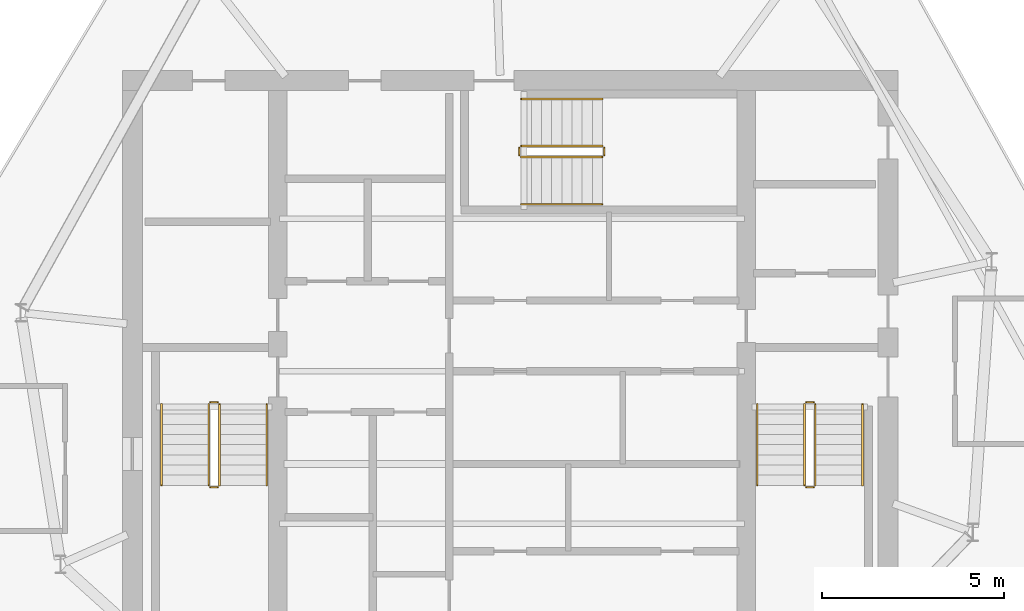
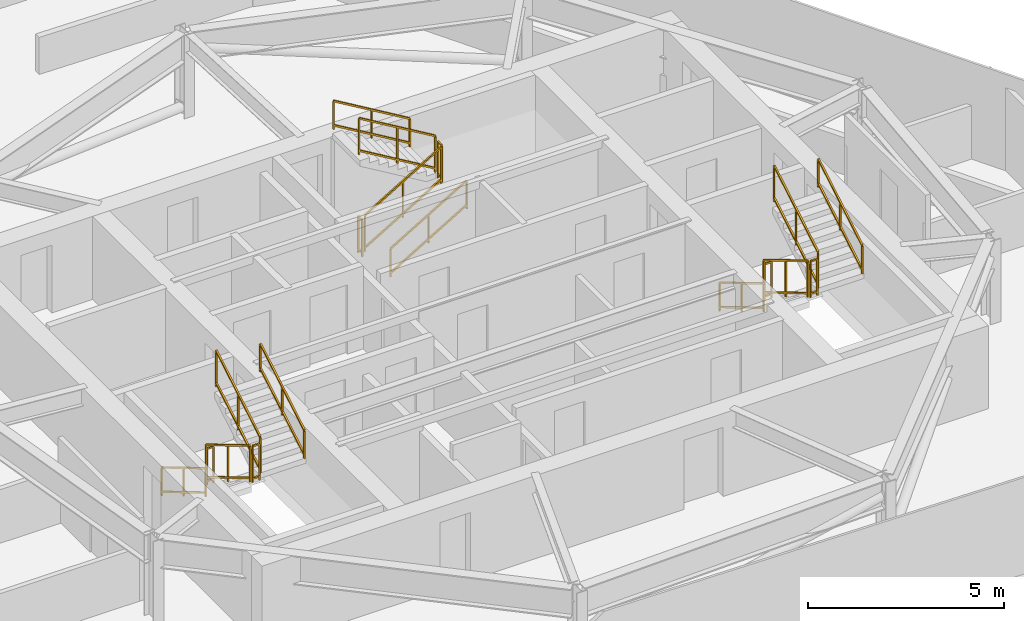
# One storey, part 6 of 6: 18 railings.
"""IFC4 building model written with IfcOpenShell, lengths in metres."""

from ifc_helpers import new_model, si_unit, direction, frame, origin, origin_2d, place, context, subcontext, project, spatial, rectangle, extrude, material, type_object, element, save


model = new_model("IFC4")

# Units and contexts
model_context = context("Model", 3, precision=1e-05, world=origin(), true_north=direction((0.0, 1.0)))
body_context = subcontext(model_context, "Body", "Model", "MODEL_VIEW")
ifc_project = project(units=[si_unit("LENGTHUNIT", "METRE"), si_unit("AREAUNIT", "SQUARE_METRE"), si_unit("VOLUMEUNIT", "CUBIC_METRE"), si_unit("PLANEANGLEUNIT", "RADIAN"), si_unit("MASSUNIT", "GRAM", prefix="KILO")], contexts=[model_context])

# Site, building, storey
site_placement = place(None, origin())
site = spatial("IfcSite", under=ifc_project, at=site_placement, CompositionType="ELEMENT")
building_placement = place(site_placement, origin())
building = spatial("IfcBuilding", under=site, at=building_placement, Name="Qarnah Convention Tower", CompositionType="ELEMENT")
storey_placement = place(building_placement, frame((0.0, 0.0, 289.89990234375)))
storey = spatial("IfcBuildingStorey", under=building, at=storey_placement, Name="L78", CompositionType="ELEMENT", Elevation=289.89990234375)

# Railings
ifc_material = material(Name="Structural steel S355JR", Category="steel")
railing_type_1 = type_object("IfcRailingType", Name="RL-STAIR-GUARD-1150", PredefinedType="GUARDRAIL", material=ifc_material)
railing_1_placement = place(storey_placement, frame((28.89990234375, 25.300048828125, 0.166748046875)))
element("IfcRailing", 1, at=railing_1_placement, inside=storey, type_object=railing_type_1, Name="L78 ST-1 stair guard 1", PredefinedType="GUARDRAIL", context=body_context, shape_type="SweptSolid", body=[
    extrude(rectangle(XDim=0.048095703125, YDim=0.048095703125, at=origin_2d()), frame((0.0, 0.0, 1.1259765625), z_axis=(0.0, -0.859305625298, 0.511462454469), x_axis=(1.0, 0.0, 0.0)), (0.0, 0.0, 1.0), 2.606689453125),
    extrude(rectangle(XDim=0.048095703125, YDim=0.048095703125, at=origin_2d()), frame((0.0, 0.0, 0.1201171875), z_axis=(0.0, -0.859305625298, 0.511462454469), x_axis=(1.0, 0.0, 0.0)), (0.0, 0.0, 1.0), 2.606689453125),
    extrude(rectangle(XDim=0.0419921875, YDim=0.0419921875, at=origin_2d()), origin(), (0.0, 0.0, 1.0), 1.101806640625),
    extrude(rectangle(XDim=0.0419921875, YDim=0.0419921875, at=origin_2d()), frame((0.0, -1.1201171875, 0.66650390625)), (0.0, 0.0, 1.0), 1.101806640625),
    extrude(rectangle(XDim=0.0419921875, YDim=0.0419921875, at=origin_2d()), frame((0.0, -2.239990234375, 1.333251953125)), (0.0, 0.0, 1.0), 1.101806640625),
])
railing_2_placement = place(storey_placement, frame((28.949951171875, 23.010009765625, 1.5)))
element("IfcRailing", 2, at=railing_2_placement, inside=storey, type_object=railing_type_1, Name="L78 ST-1 stair guard 2", PredefinedType="GUARDRAIL", context=body_context, shape_type="SweptSolid", body=[
    extrude(rectangle(XDim=0.048095703125, YDim=0.048095703125, at=origin_2d()), frame((0.0, 0.0, 1.1259765625), z_axis=(1.0, 0.0, 0.0), x_axis=(0.0, 1.0, 0.0)), (0.0, 0.0, 1.0), 0.199951171875),
    extrude(rectangle(XDim=0.048095703125, YDim=0.048095703125, at=origin_2d()), frame((0.0, 0.0, 0.1201171875), z_axis=(1.0, 0.0, 0.0), x_axis=(0.0, 1.0, 0.0)), (0.0, 0.0, 1.0), 0.199951171875),
    extrude(rectangle(XDim=0.0419921875, YDim=0.0419921875, at=origin_2d()), origin(), (0.0, 0.0, 1.0), 1.101806640625),
    extrude(rectangle(XDim=0.0419921875, YDim=0.0419921875, at=origin_2d()), frame((0.199951171875, 0.0, 0.0)), (0.0, 0.0, 1.0), 1.101806640625),
])
railing_3_placement = place(storey_placement, frame((29.199951171875, 23.06005859375, 1.666748046875)))
element("IfcRailing", 3, at=railing_3_placement, inside=storey, type_object=railing_type_1, Name="L78 ST-1 stair guard 3", PredefinedType="GUARDRAIL", context=body_context, shape_type="SweptSolid", body=[
    extrude(rectangle(XDim=0.048095703125, YDim=0.048095703125, at=origin_2d()), frame((0.0, 0.0, 1.1259765625), z_axis=(0.0, 0.859305625298, 0.511462454469), x_axis=(-1.0, 0.0, 0.0)), (0.0, 0.0, 1.0), 2.606689453125),
    extrude(rectangle(XDim=0.048095703125, YDim=0.048095703125, at=origin_2d()), frame((0.0, 0.0, 0.1201171875), z_axis=(0.0, 0.859305625298, 0.511462454469), x_axis=(-1.0, 0.0, 0.0)), (0.0, 0.0, 1.0), 2.606689453125),
    extrude(rectangle(XDim=0.0419921875, YDim=0.0419921875, at=origin_2d()), origin(), (0.0, 0.0, 1.0), 1.101806640625),
    extrude(rectangle(XDim=0.0419921875, YDim=0.0419921875, at=origin_2d()), frame((0.0, 1.1201171875, 0.66650390625)), (0.0, 0.0, 1.0), 1.101806640625),
    extrude(rectangle(XDim=0.0419921875, YDim=0.0419921875, at=origin_2d()), frame((0.0, 2.239990234375, 1.333251953125)), (0.0, 0.0, 1.0), 1.101806640625),
])
railing_4_placement = place(storey_placement, frame((28.949951171875, 25.35009765625, 0.0)))
element("IfcRailing", 4, at=railing_4_placement, inside=storey, type_object=railing_type_1, Name="L78 ST-1 stair guard 4", PredefinedType="GUARDRAIL", context=body_context, shape_type="SweptSolid", body=[
    extrude(rectangle(XDim=0.048095703125, YDim=0.048095703125, at=origin_2d()), frame((0.0, 0.0, 1.1259765625), z_axis=(1.0, 0.0, 0.0), x_axis=(0.0, 1.0, 0.0)), (0.0, 0.0, 1.0), 0.199951171875),
    extrude(rectangle(XDim=0.048095703125, YDim=0.048095703125, at=origin_2d()), frame((0.0, 0.0, 0.1201171875), z_axis=(1.0, 0.0, 0.0), x_axis=(0.0, 1.0, 0.0)), (0.0, 0.0, 1.0), 0.199951171875),
    extrude(rectangle(XDim=0.0419921875, YDim=0.0419921875, at=origin_2d()), origin(), (0.0, 0.0, 1.0), 1.101806640625),
    extrude(rectangle(XDim=0.0419921875, YDim=0.0419921875, at=origin_2d()), frame((0.199951171875, 0.0, 0.0)), (0.0, 0.0, 1.0), 1.101806640625),
])
railing_5_placement = place(storey_placement, frame((45.300048828125, 25.300048828125, 0.166748046875)))
element("IfcRailing", 5, at=railing_5_placement, inside=storey, type_object=railing_type_1, Name="L78 ST-2 stair guard 1", PredefinedType="GUARDRAIL", context=body_context, shape_type="SweptSolid", body=[
    extrude(rectangle(XDim=0.048095703125, YDim=0.048095703125, at=origin_2d()), frame((0.0, 0.0, 1.1259765625), z_axis=(0.0, -0.859305625298, 0.511462454469), x_axis=(1.0, 0.0, 0.0)), (0.0, 0.0, 1.0), 2.606689453125),
    extrude(rectangle(XDim=0.048095703125, YDim=0.048095703125, at=origin_2d()), frame((0.0, 0.0, 0.1201171875), z_axis=(0.0, -0.859305625298, 0.511462454469), x_axis=(1.0, 0.0, 0.0)), (0.0, 0.0, 1.0), 2.606689453125),
    extrude(rectangle(XDim=0.0419921875, YDim=0.0419921875, at=origin_2d()), origin(), (0.0, 0.0, 1.0), 1.101806640625),
    extrude(rectangle(XDim=0.0419921875, YDim=0.0419921875, at=origin_2d()), frame((0.0, -1.1201171875, 0.66650390625)), (0.0, 0.0, 1.0), 1.101806640625),
    extrude(rectangle(XDim=0.0419921875, YDim=0.0419921875, at=origin_2d()), frame((0.0, -2.239990234375, 1.333251953125)), (0.0, 0.0, 1.0), 1.101806640625),
])
railing_6_placement = place(storey_placement, frame((45.35009765625, 23.010009765625, 1.5)))
element("IfcRailing", 6, at=railing_6_placement, inside=storey, type_object=railing_type_1, Name="L78 ST-2 stair guard 2", PredefinedType="GUARDRAIL", context=body_context, shape_type="SweptSolid", body=[
    extrude(rectangle(XDim=0.048095703125, YDim=0.048095703125, at=origin_2d()), frame((0.0, 0.0, 1.1259765625), z_axis=(1.0, 0.0, 0.0), x_axis=(0.0, 1.0, 0.0)), (0.0, 0.0, 1.0), 0.199951171875),
    extrude(rectangle(XDim=0.048095703125, YDim=0.048095703125, at=origin_2d()), frame((0.0, 0.0, 0.1201171875), z_axis=(1.0, 0.0, 0.0), x_axis=(0.0, 1.0, 0.0)), (0.0, 0.0, 1.0), 0.199951171875),
    extrude(rectangle(XDim=0.0419921875, YDim=0.0419921875, at=origin_2d()), origin(), (0.0, 0.0, 1.0), 1.101806640625),
    extrude(rectangle(XDim=0.0419921875, YDim=0.0419921875, at=origin_2d()), frame((0.199951171875, 0.0, 0.0)), (0.0, 0.0, 1.0), 1.101806640625),
])
railing_7_placement = place(storey_placement, frame((45.60009765625, 23.06005859375, 1.666748046875)))
element("IfcRailing", 7, at=railing_7_placement, inside=storey, type_object=railing_type_1, Name="L78 ST-2 stair guard 3", PredefinedType="GUARDRAIL", context=body_context, shape_type="SweptSolid", body=[
    extrude(rectangle(XDim=0.048095703125, YDim=0.048095703125, at=origin_2d()), frame((0.0, 0.0, 1.1259765625), z_axis=(0.0, 0.859305625298, 0.511462454469), x_axis=(-1.0, 0.0, 0.0)), (0.0, 0.0, 1.0), 2.606689453125),
    extrude(rectangle(XDim=0.048095703125, YDim=0.048095703125, at=origin_2d()), frame((0.0, 0.0, 0.1201171875), z_axis=(0.0, 0.859305625298, 0.511462454469), x_axis=(-1.0, 0.0, 0.0)), (0.0, 0.0, 1.0), 2.606689453125),
    extrude(rectangle(XDim=0.0419921875, YDim=0.0419921875, at=origin_2d()), origin(), (0.0, 0.0, 1.0), 1.101806640625),
    extrude(rectangle(XDim=0.0419921875, YDim=0.0419921875, at=origin_2d()), frame((0.0, 1.1201171875, 0.66650390625)), (0.0, 0.0, 1.0), 1.101806640625),
    extrude(rectangle(XDim=0.0419921875, YDim=0.0419921875, at=origin_2d()), frame((0.0, 2.239990234375, 1.333251953125)), (0.0, 0.0, 1.0), 1.101806640625),
])
railing_8_placement = place(storey_placement, frame((45.35009765625, 25.35009765625, 0.0)))
element("IfcRailing", 8, at=railing_8_placement, inside=storey, type_object=railing_type_1, Name="L78 ST-2 stair guard 4", PredefinedType="GUARDRAIL", context=body_context, shape_type="SweptSolid", body=[
    extrude(rectangle(XDim=0.048095703125, YDim=0.048095703125, at=origin_2d()), frame((0.0, 0.0, 1.1259765625), z_axis=(1.0, 0.0, 0.0), x_axis=(0.0, 1.0, 0.0)), (0.0, 0.0, 1.0), 0.199951171875),
    extrude(rectangle(XDim=0.048095703125, YDim=0.048095703125, at=origin_2d()), frame((0.0, 0.0, 0.1201171875), z_axis=(1.0, 0.0, 0.0), x_axis=(0.0, 1.0, 0.0)), (0.0, 0.0, 1.0), 0.199951171875),
    extrude(rectangle(XDim=0.0419921875, YDim=0.0419921875, at=origin_2d()), origin(), (0.0, 0.0, 1.0), 1.101806640625),
    extrude(rectangle(XDim=0.0419921875, YDim=0.0419921875, at=origin_2d()), frame((0.199951171875, 0.0, 0.0)), (0.0, 0.0, 1.0), 1.101806640625),
])
railing_9_placement = place(storey_placement, frame((37.5, 32.10009765625, 0.166748046875)))
element("IfcRailing", 9, at=railing_9_placement, inside=storey, type_object=railing_type_1, Name="L78 ST-3 stair guard 1", PredefinedType="GUARDRAIL", context=body_context, shape_type="SweptSolid", body=[
    extrude(rectangle(XDim=0.048095703125, YDim=0.048095703125, at=origin_2d()), frame((0.0, 0.0, 1.1259765625), z_axis=(0.859305625298, 0.0, 0.511462454469), x_axis=(0.0, 1.0, 0.0)), (0.0, 0.0, 1.0), 2.606689453125),
    extrude(rectangle(XDim=0.048095703125, YDim=0.048095703125, at=origin_2d()), frame((0.0, 0.0, 0.1201171875), z_axis=(0.859305625298, 0.0, 0.511462454469), x_axis=(0.0, 1.0, 0.0)), (0.0, 0.0, 1.0), 2.606689453125),
    extrude(rectangle(XDim=0.0419921875, YDim=0.0419921875, at=origin_2d()), origin(), (0.0, 0.0, 1.0), 1.101806640625),
    extrude(rectangle(XDim=0.0419921875, YDim=0.0419921875, at=origin_2d()), frame((1.1201171875, 0.0, 0.66650390625)), (0.0, 0.0, 1.0), 1.101806640625),
    extrude(rectangle(XDim=0.0419921875, YDim=0.0419921875, at=origin_2d()), frame((2.239990234375, 0.0, 1.333251953125)), (0.0, 0.0, 1.0), 1.101806640625),
])
railing_10_placement = place(storey_placement, frame((39.7900390625, 32.14990234375, 1.5)))
element("IfcRailing", 10, at=railing_10_placement, inside=storey, type_object=railing_type_1, Name="L78 ST-3 stair guard 2", PredefinedType="GUARDRAIL", context=body_context, shape_type="SweptSolid", body=[
    extrude(rectangle(XDim=0.048095703125, YDim=0.048095703125, at=origin_2d()), frame((0.0, 0.0, 1.1259765625), z_axis=(0.0, 1.0, 0.0), x_axis=(-1.0, 0.0, 0.0)), (0.0, 0.0, 1.0), 0.2001953125),
    extrude(rectangle(XDim=0.048095703125, YDim=0.048095703125, at=origin_2d()), frame((0.0, 0.0, 0.1201171875), z_axis=(0.0, 1.0, 0.0), x_axis=(-1.0, 0.0, 0.0)), (0.0, 0.0, 1.0), 0.2001953125),
    extrude(rectangle(XDim=0.0419921875, YDim=0.0419921875, at=origin_2d()), origin(), (0.0, 0.0, 1.0), 1.101806640625),
    extrude(rectangle(XDim=0.0419921875, YDim=0.0419921875, at=origin_2d()), frame((0.0, 0.2001953125, 0.0)), (0.0, 0.0, 1.0), 1.101806640625),
])
railing_11_placement = place(storey_placement, frame((39.739990234375, 32.39990234375, 1.666748046875)))
element("IfcRailing", 11, at=railing_11_placement, inside=storey, type_object=railing_type_1, Name="L78 ST-3 stair guard 3", PredefinedType="GUARDRAIL", context=body_context, shape_type="SweptSolid", body=[
    extrude(rectangle(XDim=0.048095703125, YDim=0.048095703125, at=origin_2d()), frame((0.0, 0.0, 1.1259765625), z_axis=(-0.859305625298, 0.0, 0.511462454469), x_axis=(0.0, -1.0, 0.0)), (0.0, 0.0, 1.0), 2.606689453125),
    extrude(rectangle(XDim=0.048095703125, YDim=0.048095703125, at=origin_2d()), frame((0.0, 0.0, 0.1201171875), z_axis=(-0.859305625298, 0.0, 0.511462454469), x_axis=(0.0, -1.0, 0.0)), (0.0, 0.0, 1.0), 2.606689453125),
    extrude(rectangle(XDim=0.0419921875, YDim=0.0419921875, at=origin_2d()), origin(), (0.0, 0.0, 1.0), 1.101806640625),
    extrude(rectangle(XDim=0.0419921875, YDim=0.0419921875, at=origin_2d()), frame((-1.1201171875, 0.0, 0.66650390625)), (0.0, 0.0, 1.0), 1.101806640625),
    extrude(rectangle(XDim=0.0419921875, YDim=0.0419921875, at=origin_2d()), frame((-2.239990234375, 0.0, 1.333251953125)), (0.0, 0.0, 1.0), 1.101806640625),
])
railing_12_placement = place(storey_placement, frame((37.449951171875, 32.14990234375, 0.0)))
element("IfcRailing", 12, at=railing_12_placement, inside=storey, type_object=railing_type_1, Name="L78 ST-3 stair guard 4", PredefinedType="GUARDRAIL", context=body_context, shape_type="SweptSolid", body=[
    extrude(rectangle(XDim=0.048095703125, YDim=0.048095703125, at=origin_2d()), frame((0.0, 0.0, 1.1259765625), z_axis=(0.0, 1.0, 0.0), x_axis=(-1.0, 0.0, 0.0)), (0.0, 0.0, 1.0), 0.2001953125),
    extrude(rectangle(XDim=0.048095703125, YDim=0.048095703125, at=origin_2d()), frame((0.0, 0.0, 0.1201171875), z_axis=(0.0, 1.0, 0.0), x_axis=(-1.0, 0.0, 0.0)), (0.0, 0.0, 1.0), 0.2001953125),
    extrude(rectangle(XDim=0.0419921875, YDim=0.0419921875, at=origin_2d()), origin(), (0.0, 0.0, 1.0), 1.101806640625),
    extrude(rectangle(XDim=0.0419921875, YDim=0.0419921875, at=origin_2d()), frame((0.0, 0.2001953125, 0.0)), (0.0, 0.0, 1.0), 1.101806640625),
])
railing_type_2 = type_object("IfcRailingType", Name="RL-STAIR-HAND-900", PredefinedType="HANDRAIL", material=ifc_material)
railing_13_placement = place(storey_placement, frame((27.60009765625, 25.300048828125, 0.166748046875)))
element("IfcRailing", 13, at=railing_13_placement, inside=storey, type_object=railing_type_2, Name="L78 ST-1 stair handrail 1", PredefinedType="HANDRAIL", context=body_context, shape_type="SweptSolid", body=[
    extrude(rectangle(XDim=0.048095703125, YDim=0.048095703125, at=origin_2d()), frame((0.0, 0.0, 0.8759765625), z_axis=(0.0, -0.859305625298, 0.511462454469), x_axis=(1.0, 0.0, 0.0)), (0.0, 0.0, 1.0), 2.606689453125),
    extrude(rectangle(XDim=0.048095703125, YDim=0.048095703125, at=origin_2d()), frame((0.0, 0.0, 0.1201171875), z_axis=(0.0, -0.859305625298, 0.511462454469), x_axis=(1.0, 0.0, 0.0)), (0.0, 0.0, 1.0), 2.606689453125),
    extrude(rectangle(XDim=0.0419921875, YDim=0.0419921875, at=origin_2d()), origin(), (0.0, 0.0, 1.0), 0.851806640625),
    extrude(rectangle(XDim=0.0419921875, YDim=0.0419921875, at=origin_2d()), frame((0.0, -1.1201171875, 0.66650390625)), (0.0, 0.0, 1.0), 0.851806640625),
    extrude(rectangle(XDim=0.0419921875, YDim=0.0419921875, at=origin_2d()), frame((0.0, -2.239990234375, 1.333251953125)), (0.0, 0.0, 1.0), 0.851806640625),
])
railing_14_placement = place(storey_placement, frame((30.5, 23.06005859375, 1.666748046875)))
element("IfcRailing", 14, at=railing_14_placement, inside=storey, type_object=railing_type_2, Name="L78 ST-1 stair handrail 2", PredefinedType="HANDRAIL", context=body_context, shape_type="SweptSolid", body=[
    extrude(rectangle(XDim=0.048095703125, YDim=0.048095703125, at=origin_2d()), frame((0.0, 0.0, 0.8759765625), z_axis=(0.0, 0.859305625298, 0.511462454469), x_axis=(-1.0, 0.0, 0.0)), (0.0, 0.0, 1.0), 2.606689453125),
    extrude(rectangle(XDim=0.048095703125, YDim=0.048095703125, at=origin_2d()), frame((0.0, 0.0, 0.1201171875), z_axis=(0.0, 0.859305625298, 0.511462454469), x_axis=(-1.0, 0.0, 0.0)), (0.0, 0.0, 1.0), 2.606689453125),
    extrude(rectangle(XDim=0.0419921875, YDim=0.0419921875, at=origin_2d()), origin(), (0.0, 0.0, 1.0), 0.851806640625),
    extrude(rectangle(XDim=0.0419921875, YDim=0.0419921875, at=origin_2d()), frame((0.0, 1.1201171875, 0.66650390625)), (0.0, 0.0, 1.0), 0.851806640625),
    extrude(rectangle(XDim=0.0419921875, YDim=0.0419921875, at=origin_2d()), frame((0.0, 2.239990234375, 1.333251953125)), (0.0, 0.0, 1.0), 0.851806640625),
])
railing_15_placement = place(storey_placement, frame((44.0, 25.300048828125, 0.166748046875)))
element("IfcRailing", 15, at=railing_15_placement, inside=storey, type_object=railing_type_2, Name="L78 ST-2 stair handrail 1", PredefinedType="HANDRAIL", context=body_context, shape_type="SweptSolid", body=[
    extrude(rectangle(XDim=0.048095703125, YDim=0.048095703125, at=origin_2d()), frame((0.0, 0.0, 0.8759765625), z_axis=(0.0, -0.859305625298, 0.511462454469), x_axis=(1.0, 0.0, 0.0)), (0.0, 0.0, 1.0), 2.606689453125),
    extrude(rectangle(XDim=0.048095703125, YDim=0.048095703125, at=origin_2d()), frame((0.0, 0.0, 0.1201171875), z_axis=(0.0, -0.859305625298, 0.511462454469), x_axis=(1.0, 0.0, 0.0)), (0.0, 0.0, 1.0), 2.606689453125),
    extrude(rectangle(XDim=0.0419921875, YDim=0.0419921875, at=origin_2d()), origin(), (0.0, 0.0, 1.0), 0.851806640625),
    extrude(rectangle(XDim=0.0419921875, YDim=0.0419921875, at=origin_2d()), frame((0.0, -1.1201171875, 0.66650390625)), (0.0, 0.0, 1.0), 0.851806640625),
    extrude(rectangle(XDim=0.0419921875, YDim=0.0419921875, at=origin_2d()), frame((0.0, -2.239990234375, 1.333251953125)), (0.0, 0.0, 1.0), 0.851806640625),
])
railing_16_placement = place(storey_placement, frame((46.89990234375, 23.06005859375, 1.666748046875)))
element("IfcRailing", 16, at=railing_16_placement, inside=storey, type_object=railing_type_2, Name="L78 ST-2 stair handrail 2", PredefinedType="HANDRAIL", context=body_context, shape_type="SweptSolid", body=[
    extrude(rectangle(XDim=0.048095703125, YDim=0.048095703125, at=origin_2d()), frame((0.0, 0.0, 0.8759765625), z_axis=(0.0, 0.859305625298, 0.511462454469), x_axis=(-1.0, 0.0, 0.0)), (0.0, 0.0, 1.0), 2.606689453125),
    extrude(rectangle(XDim=0.048095703125, YDim=0.048095703125, at=origin_2d()), frame((0.0, 0.0, 0.1201171875), z_axis=(0.0, 0.859305625298, 0.511462454469), x_axis=(-1.0, 0.0, 0.0)), (0.0, 0.0, 1.0), 2.606689453125),
    extrude(rectangle(XDim=0.0419921875, YDim=0.0419921875, at=origin_2d()), origin(), (0.0, 0.0, 1.0), 0.851806640625),
    extrude(rectangle(XDim=0.0419921875, YDim=0.0419921875, at=origin_2d()), frame((0.0, 1.1201171875, 0.66650390625)), (0.0, 0.0, 1.0), 0.851806640625),
    extrude(rectangle(XDim=0.0419921875, YDim=0.0419921875, at=origin_2d()), frame((0.0, 2.239990234375, 1.333251953125)), (0.0, 0.0, 1.0), 0.851806640625),
])
railing_17_placement = place(storey_placement, frame((37.5, 30.800048828125, 0.166748046875)))
element("IfcRailing", 17, at=railing_17_placement, inside=storey, type_object=railing_type_2, Name="L78 ST-3 stair handrail 1", PredefinedType="HANDRAIL", context=body_context, shape_type="SweptSolid", body=[
    extrude(rectangle(XDim=0.048095703125, YDim=0.048095703125, at=origin_2d()), frame((0.0, 0.0, 0.8759765625), z_axis=(0.859305625298, 0.0, 0.511462454469), x_axis=(0.0, 1.0, 0.0)), (0.0, 0.0, 1.0), 2.606689453125),
    extrude(rectangle(XDim=0.048095703125, YDim=0.048095703125, at=origin_2d()), frame((0.0, 0.0, 0.1201171875), z_axis=(0.859305625298, 0.0, 0.511462454469), x_axis=(0.0, 1.0, 0.0)), (0.0, 0.0, 1.0), 2.606689453125),
    extrude(rectangle(XDim=0.0419921875, YDim=0.0419921875, at=origin_2d()), origin(), (0.0, 0.0, 1.0), 0.851806640625),
    extrude(rectangle(XDim=0.0419921875, YDim=0.0419921875, at=origin_2d()), frame((1.1201171875, 0.0, 0.66650390625)), (0.0, 0.0, 1.0), 0.851806640625),
    extrude(rectangle(XDim=0.0419921875, YDim=0.0419921875, at=origin_2d()), frame((2.239990234375, 0.0, 1.333251953125)), (0.0, 0.0, 1.0), 0.851806640625),
])
railing_18_placement = place(storey_placement, frame((39.739990234375, 33.699951171875, 1.666748046875)))
element("IfcRailing", 18, at=railing_18_placement, inside=storey, type_object=railing_type_2, Name="L78 ST-3 stair handrail 2", PredefinedType="HANDRAIL", context=body_context, shape_type="SweptSolid", body=[
    extrude(rectangle(XDim=0.048095703125, YDim=0.048095703125, at=origin_2d()), frame((0.0, 0.0, 0.8759765625), z_axis=(-0.859305625298, 0.0, 0.511462454469), x_axis=(0.0, -1.0, 0.0)), (0.0, 0.0, 1.0), 2.606689453125),
    extrude(rectangle(XDim=0.048095703125, YDim=0.048095703125, at=origin_2d()), frame((0.0, 0.0, 0.1201171875), z_axis=(-0.859305625298, 0.0, 0.511462454469), x_axis=(0.0, -1.0, 0.0)), (0.0, 0.0, 1.0), 2.606689453125),
    extrude(rectangle(XDim=0.0419921875, YDim=0.0419921875, at=origin_2d()), origin(), (0.0, 0.0, 1.0), 0.851806640625),
    extrude(rectangle(XDim=0.0419921875, YDim=0.0419921875, at=origin_2d()), frame((-1.1201171875, 0.0, 0.66650390625)), (0.0, 0.0, 1.0), 0.851806640625),
    extrude(rectangle(XDim=0.0419921875, YDim=0.0419921875, at=origin_2d()), frame((-2.239990234375, 0.0, 1.333251953125)), (0.0, 0.0, 1.0), 0.851806640625),
])

save(model, "model.ifc")
